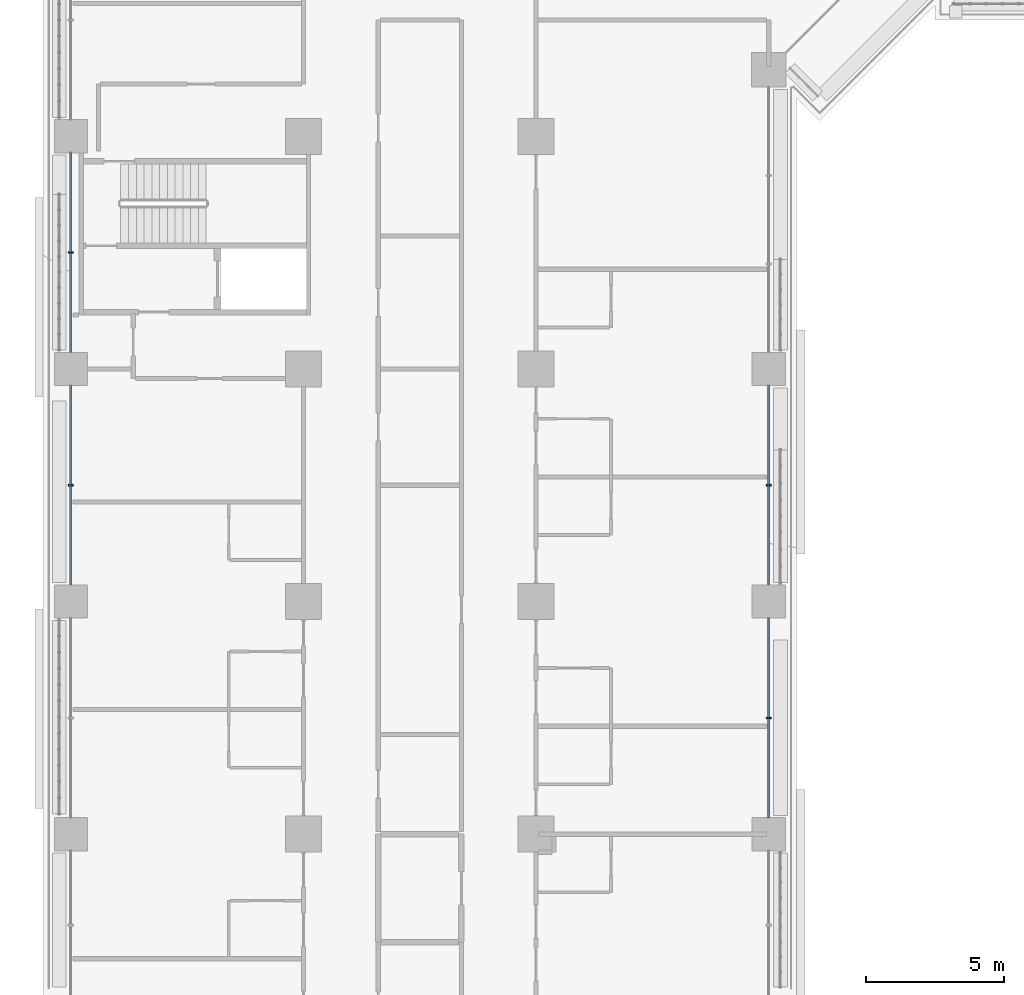
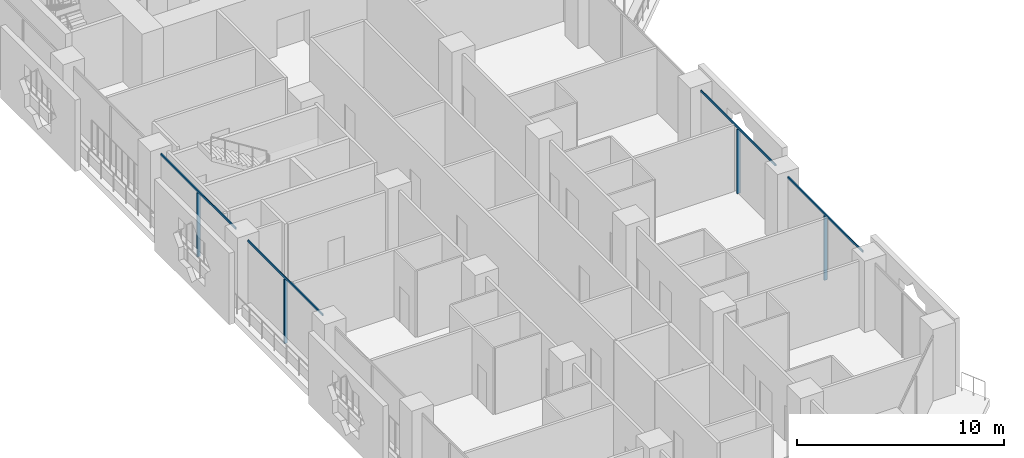
# One storey, part 3 of 29: 8 members, 2 elements without a shape of their own.
"""IFC4 building model written with IfcOpenShell, lengths in metres."""

from ifc_helpers import new_model, si_unit, direction, frame, origin, origin_2d, place, context, subcontext, project, spatial, rectangle, extrude, material, layer, layer_set, material_profile, profile_set, type_object, element, aggregate, save


model = new_model("IFC4")

# Units and contexts
model_context = context("Model", 3, precision=1e-05, world=origin(), true_north=direction((0.0, 1.0)))
body_context = subcontext(model_context, "Body", "Model", "MODEL_VIEW")
ifc_project = project(units=[si_unit("LENGTHUNIT", "METRE"), si_unit("AREAUNIT", "SQUARE_METRE"), si_unit("VOLUMEUNIT", "CUBIC_METRE"), si_unit("PLANEANGLEUNIT", "RADIAN"), si_unit("MASSUNIT", "GRAM", prefix="KILO")], contexts=[model_context])

# Site, building, storey
site_placement = place(None, origin())
site = spatial("IfcSite", under=ifc_project, at=site_placement, CompositionType="ELEMENT")
building_placement = place(site_placement, origin())
building = spatial("IfcBuilding", under=site, at=building_placement, Name="Kawkab Arch Medical Tower", CompositionType="ELEMENT")
storey_placement = place(building_placement, frame((0.0, 0.0, 60.199951171875)))
storey = spatial("IfcBuildingStorey", under=building, at=storey_placement, Name="L13", CompositionType="ELEMENT", Elevation=60.199951171875)

# Curtain wall, members
ifc_material_1 = material(Name="Bronze anodised aluminium curtain wall frame", Category="aluminium")
ifc_layer = layer(ifc_material_1, 0.159912109375)
ifc_layer_set = layer_set([ifc_layer], Name="Bronze anodised aluminium curtain wall frame")
curtain_wall_type = type_object("IfcCurtainWallType", Name="CW1 ward curtain wall", PredefinedType="NOTDEFINED", material=ifc_layer_set)
placement = place(storey_placement, origin())
curtain_wall_1 = element("IfcCurtainWall", 1, at=placement, inside=storey, type_object=curtain_wall_type, Name="CW1 Ward curtain wall R01", PredefinedType="NOTDEFINED")
ifc_material_2 = material(Name="Bronze anodised aluminium curtain wall frame", Category="aluminium")
ifc_material_profile_1 = material_profile(ifc_material_2, rectangle(XDim=0.179931640625, YDim=0.06005859375, at=origin_2d()), Name="AL 60x180")
ifc_profile_set_1 = profile_set([ifc_material_profile_1], Name="Bronze anodised aluminium curtain wall frame")
member_type_1 = type_object("IfcMemberType", Name="CW1 mullion 60 x 180", PredefinedType="MULLION", material=ifc_profile_set_1)
member_1_placement = place(storey_placement, frame((0.0, -37.800048828125, 0.0), z_axis=(0.0, 0.0, 1.0), x_axis=(1.0, 0.0, 0.0)))
member_1 = element("IfcMember", 2, at=member_1_placement, type_object=member_type_1, Name="CW1 mullion 4.1", PredefinedType="MULLION", context=body_context, shape_type="SweptSolid", body=[
    extrude(rectangle(XDim=0.179931640625, YDim=0.06005859375, at=origin_2d()), origin(), (0.0, 0.0, 1.0), 3.780029296875),
])
member_2_placement = place(storey_placement, frame((0.0, -46.199951171875, 0.0), z_axis=(0.0, 0.0, 1.0), x_axis=(1.0, 0.0, 0.0)))
member_2 = element("IfcMember", 3, at=member_2_placement, type_object=member_type_1, Name="CW1 mullion 5.1", PredefinedType="MULLION", context=body_context, shape_type="SweptSolid", body=[
    extrude(rectangle(XDim=0.179931640625, YDim=0.06005859375, at=origin_2d()), origin(), (0.0, 0.0, 1.0), 3.780029296875),
])

curtain_wall_2 = element("IfcCurtainWall", 4, at=placement, inside=storey, type_object=curtain_wall_type, Name="CW1 Ward curtain wall R05", PredefinedType="NOTDEFINED")
member_3_placement = place(storey_placement, frame((25.199951171875, -54.60009765625, 0.0), z_axis=(0.0, 0.0, 1.0), x_axis=(-1.0, 0.0, 0.0)))
member_3 = element("IfcMember", 5, at=member_3_placement, type_object=member_type_1, Name="CW1 mullion 2.1", PredefinedType="MULLION", context=body_context, shape_type="SweptSolid", body=[
    extrude(rectangle(XDim=0.179931640625, YDim=0.06005859375, at=origin_2d()), origin(), (0.0, 0.0, 1.0), 3.780029296875),
])
member_4_placement = place(storey_placement, frame((25.199951171875, -46.199951171875, 0.0), z_axis=(0.0, 0.0, 1.0), x_axis=(-1.0, 0.0, 0.0)))
member_4 = element("IfcMember", 6, at=member_4_placement, type_object=member_type_1, Name="CW1 mullion 3.1", PredefinedType="MULLION", context=body_context, shape_type="SweptSolid", body=[
    extrude(rectangle(XDim=0.179931640625, YDim=0.06005859375, at=origin_2d()), origin(), (0.0, 0.0, 1.0), 3.780029296875),
])

# Member
ifc_material_3 = material(Name="Bronze anodised aluminium curtain wall frame", Category="aluminium")
ifc_material_profile_2 = material_profile(ifc_material_3, rectangle(XDim=0.06005859375, YDim=0.1201171875, at=origin_2d()), Name="AL 60x120")
ifc_profile_set_2 = profile_set([ifc_material_profile_2], Name="Bronze anodised aluminium curtain wall frame")
member_type_2 = type_object("IfcMemberType", Name="CW1 transom 120 x 60", PredefinedType="USERDEFINED", material=ifc_profile_set_2)
member_5_placement = place(storey_placement, frame((0.0, -34.199951171875, 3.840087890625), z_axis=(0.0, -1.0, 0.0), x_axis=(1.0, 0.0, 0.0)))
member_5 = element("IfcMember", 7, at=member_5_placement, type_object=member_type_2, Name="CW1 transom 4", ObjectType="TRANSOM", PredefinedType="USERDEFINED", context=body_context, shape_type="SweptSolid", body=[
    extrude(rectangle(XDim=0.06005859375, YDim=0.1201171875, at=origin_2d()), origin(), (0.0, 0.0, 1.0), 7.199951171875),
])

member_6_placement = place(storey_placement, frame((0.0, -42.60009765625, 3.840087890625), z_axis=(0.0, -1.0, 0.0), x_axis=(1.0, 0.0, 0.0)))
member_6 = element("IfcMember", 8, at=member_6_placement, type_object=member_type_2, Name="CW1 transom 5", ObjectType="TRANSOM", PredefinedType="USERDEFINED", context=body_context, shape_type="SweptSolid", body=[
    extrude(rectangle(XDim=0.06005859375, YDim=0.1201171875, at=origin_2d()), origin(), (0.0, 0.0, 1.0), 7.199951171875),
])

aggregate(curtain_wall_1, [member_5, member_1, member_6, member_2])

member_7_placement = place(storey_placement, frame((25.199951171875, -58.199951171875, 3.840087890625), z_axis=(0.0, 1.0, 0.0), x_axis=(-1.0, 0.0, 0.0)))
member_7 = element("IfcMember", 9, at=member_7_placement, type_object=member_type_2, Name="CW1 transom 2", ObjectType="TRANSOM", PredefinedType="USERDEFINED", context=body_context, shape_type="SweptSolid", body=[
    extrude(rectangle(XDim=0.06005859375, YDim=0.1201171875, at=origin_2d()), origin(), (0.0, 0.0, 1.0), 7.199951171875),
])

member_8_placement = place(storey_placement, frame((25.199951171875, -49.800048828125, 3.840087890625), z_axis=(0.0, 1.0, 0.0), x_axis=(-1.0, 0.0, 0.0)))
member_8 = element("IfcMember", 10, at=member_8_placement, type_object=member_type_2, Name="CW1 transom 3", ObjectType="TRANSOM", PredefinedType="USERDEFINED", context=body_context, shape_type="SweptSolid", body=[
    extrude(rectangle(XDim=0.06005859375, YDim=0.1201171875, at=origin_2d()), origin(), (0.0, 0.0, 1.0), 7.199951171875),
])

aggregate(curtain_wall_2, [member_7, member_3, member_8, member_4])

save(model, "model.ifc")
